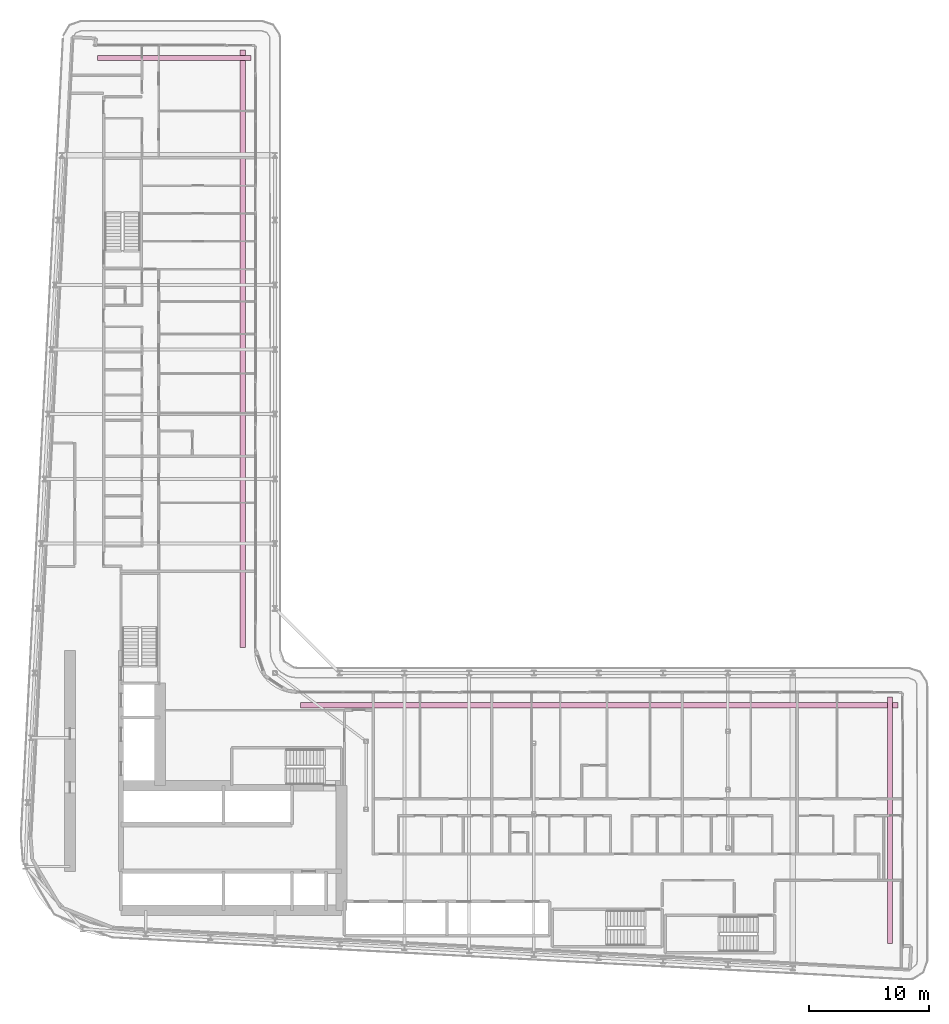
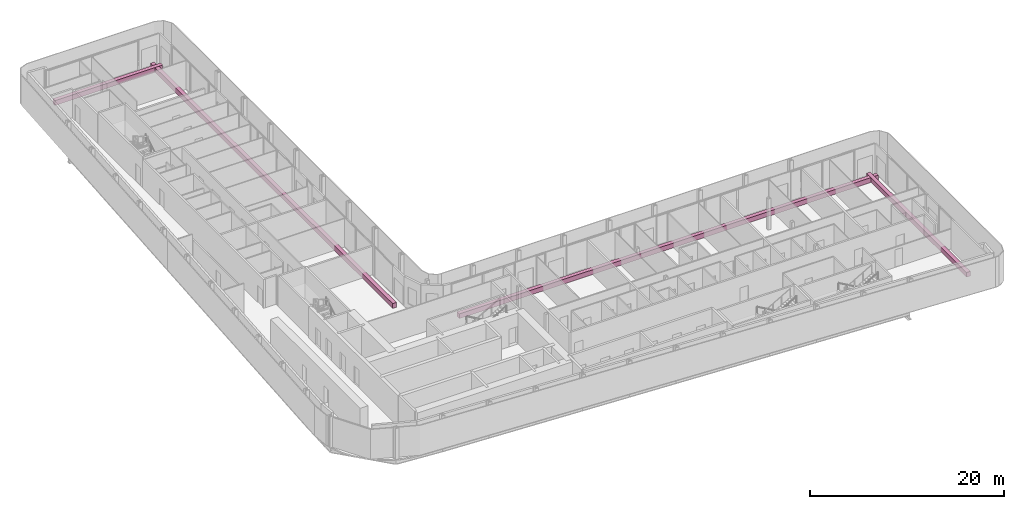
# One storey, part 28 of 28: 4 furniture elements.
"""IFC4 building model written with IfcOpenShell, lengths in metres."""

from ifc_helpers import new_model, si_unit, direction, frame, origin, origin_2d, place, context, subcontext, project, spatial, rectangle, extrude, material, type_object, element, save


model = new_model("IFC4")

# Units and contexts
model_context = context("Model", 3, precision=1e-05, world=origin(), true_north=direction((0.0, 1.0)))
body_context = subcontext(model_context, "Body", "Model", "MODEL_VIEW")
ifc_project = project(units=[si_unit("LENGTHUNIT", "METRE"), si_unit("AREAUNIT", "SQUARE_METRE"), si_unit("VOLUMEUNIT", "CUBIC_METRE"), si_unit("PLANEANGLEUNIT", "RADIAN"), si_unit("MASSUNIT", "GRAM", prefix="KILO")], contexts=[model_context])

# Site, building, storey
site_placement = place(None, origin())
site = spatial("IfcSite", under=ifc_project, at=site_placement, CompositionType="ELEMENT")
building_placement = place(site_placement, origin())
building = spatial("IfcBuilding", under=site, at=building_placement, Name="Kheshtan School and Residences Tower", CompositionType="ELEMENT")
storey_placement = place(building_placement, frame((0.0, 0.0, 125.300048828125)))
storey = spatial("IfcBuildingStorey", under=building, at=storey_placement, Name="L29", CompositionType="ELEMENT", Elevation=125.300048828125)

# Furniture
ifc_material = material(Name="Precast concrete C30/37 in terracotta finish", Category="masonry")
furniture_type = type_object("IfcFurnitureType", Name="Planter trough", AssemblyPlace="NOTDEFINED", PredefinedType="USERDEFINED", material=ifc_material)
furniture_1_placement = place(storey_placement, frame((39.196044921875, 96.925048828125, 0.0), z_axis=(0.0, 0.0, 1.0), x_axis=(1.0, 0.0, 0.0)))
element("IfcFurniture", 1, at=furniture_1_placement, inside=storey, type_object=furniture_type, Name="Planter L29", ObjectType="PLANTER", PredefinedType="USERDEFINED", context=body_context, shape_type="SweptSolid", body=[
    extrude(rectangle(XDim=12.80810546875, YDim=0.449951171875, at=origin_2d()), origin(), (0.0, 0.0, 1.0), 0.60009765625),
])
for number, where, z_axis, x_axis, name in (
    (2, (44.925048828125, 72.6650390625, 0.0), (0.0, 0.0, 1.0), (0.0, -1.0, 0.0), "Planter L29"),
    (3, (74.6650390625, 42.925048828125, 0.0), (0.0, 0.0, 1.0), (1.0, 0.0, 0.0), "Planter L29"),
):
    element("IfcFurniture", number, at=place(storey_placement, frame(where, z_axis=z_axis, x_axis=x_axis)), inside=storey, type_object=furniture_type, Name=name, ObjectType="PLANTER", PredefinedType="USERDEFINED", context=body_context, shape_type="SweptSolid", body=[
        extrude(rectangle(XDim=49.8701171875, YDim=0.449951171875, at=origin_2d()), origin(), (0.0, 0.0, 1.0), 0.60009765625),
    ])
furniture_2_placement = place(storey_placement, frame((98.925048828125, 33.306884765625, 0.0), z_axis=(0.0, 0.0, 1.0), x_axis=(0.0, -1.0, 0.0)))
element("IfcFurniture", 4, at=furniture_2_placement, inside=storey, type_object=furniture_type, Name="Planter L29", ObjectType="PLANTER", PredefinedType="USERDEFINED", context=body_context, shape_type="SweptSolid", body=[
    extrude(rectangle(XDim=20.5859375, YDim=0.449951171875, at=origin_2d()), origin(), (0.0, 0.0, 1.0), 0.60009765625),
])

save(model, "model.ifc")
